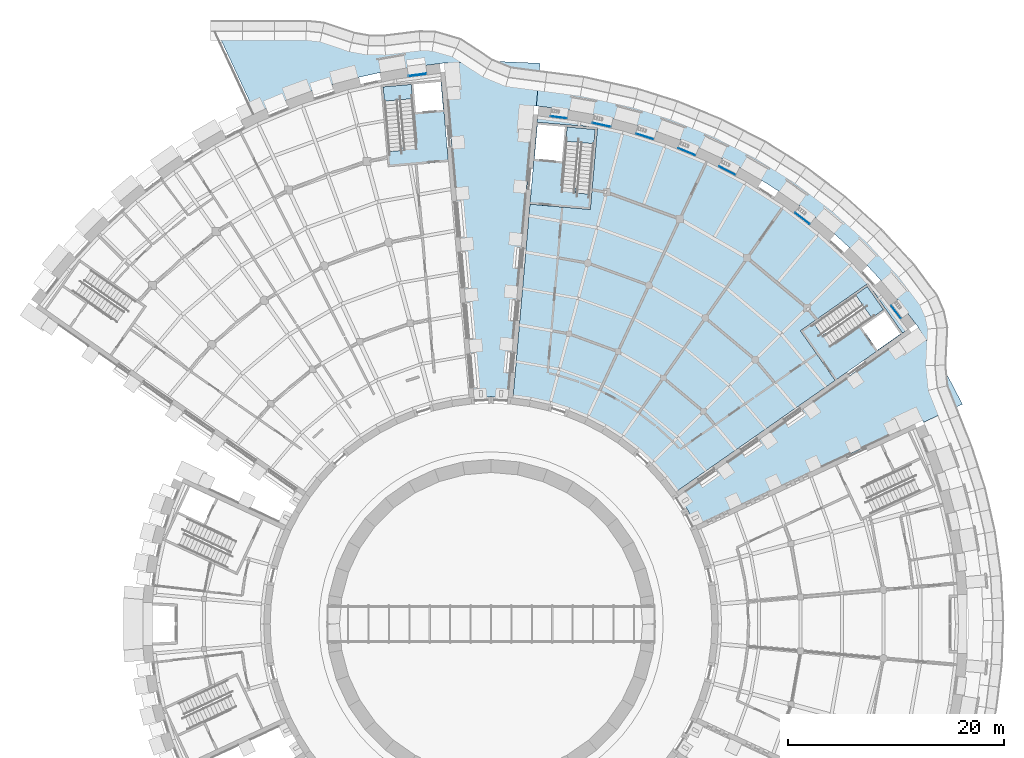
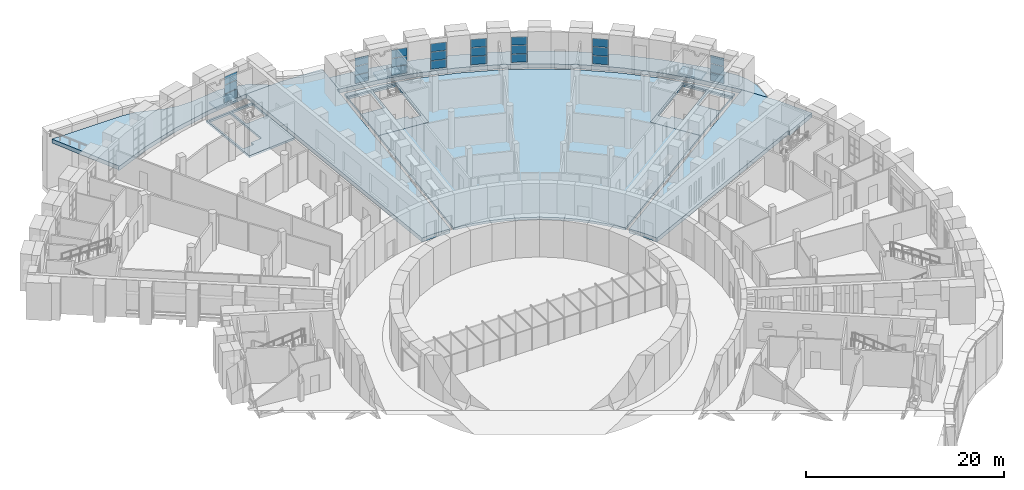
# One storey, part 37 of 85: 24 plates, 11 slabs, 11 elements without a shape of their own.
"""IFC4 building model written with IfcOpenShell, lengths in metres."""

from ifc_helpers import new_model, si_unit, direction, frame, origin, origin_2d, place, context, subcontext, project, spatial, polyline, rectangle, outline, extrude, material, layer, layer_set, type_object, element, aggregate, save


model = new_model("IFC4")

# Units and contexts
model_context = context("Model", 3, precision=1e-05, world=origin(), true_north=direction((0.0, 1.0)))
body_context = subcontext(model_context, "Body", "Model", "MODEL_VIEW")
ifc_project = project(units=[si_unit("LENGTHUNIT", "METRE"), si_unit("AREAUNIT", "SQUARE_METRE"), si_unit("VOLUMEUNIT", "CUBIC_METRE"), si_unit("PLANEANGLEUNIT", "RADIAN"), si_unit("MASSUNIT", "GRAM", prefix="KILO")], contexts=[model_context])

# Site, building, storey
site_placement = place(None, origin())
site = spatial("IfcSite", under=ifc_project, at=site_placement, CompositionType="ELEMENT")
building_placement = place(site_placement, origin())
building = spatial("IfcBuilding", under=site, at=building_placement, Name="Volute Hill Aquarium", CompositionType="ELEMENT")
storey_placement = place(building_placement, origin())
storey = spatial("IfcBuildingStorey", under=building, at=storey_placement, Name="L01", CompositionType="ELEMENT", Elevation=0.0)

# Slabs
ifc_material_1 = material(Name="Concrete C30/37", Category="concrete")
ifc_layer_1 = layer(ifc_material_1, 0.25)
ifc_layer_set_1 = layer_set([ifc_layer_1], Name="Core floor slab 250")
slab_type_1 = type_object("IfcSlabType", Name="Core floor slab 250", PredefinedType="FLOOR", material=ifc_layer_set_1)
slab_1_placement = place(storey_placement, frame((0.0, 0.0, -0.25)))
element("IfcSlab", 1, at=slab_1_placement, inside=storey, type_object=slab_type_1, Name="cs/S5-A/L01", PredefinedType="FLOOR", context=body_context, shape_type="SweptSolid", body=[
    extrude(outline(polyline([(31.791259765625, 22.504638671875), (38.016845703125, 26.86376953125), (34.8046875, 31.451171875), (28.5791015625, 27.091796875), (31.791259765625, 22.504638671875)]), holes=[polyline([(34.23193359375, 27.3876953125), (36.36181640625, 28.87890625), (37.82421875, 26.7900390625), (35.694580078125, 25.298828125), (34.23193359375, 27.3876953125)]), polyline([(30.955078125, 26.92431640625), (30.587890625, 26.667236328125), (29.84228515625, 27.732177734375), (34.755615234375, 31.172607421875), (36.2470703125, 29.042724609375), (31.70068359375, 25.859375), (30.955078125, 26.92431640625)])]), origin(), (0.0, 0.0, 1.0), 0.25),
])
slab_2_placement = place(storey_placement, frame((0.0, 0.0, -0.25)))
element("IfcSlab", 2, at=slab_2_placement, inside=storey, type_object=slab_type_1, Name="cs/S5-B/L01", PredefinedType="FLOOR", context=body_context, shape_type="SweptSolid", body=[
    extrude(outline(polyline([(9.172607421875, 38.29638671875), (9.8349609375, 45.867431640625), (4.25634765625, 46.35546875), (3.593994140625, 38.784423828125), (9.172607421875, 38.29638671875)]), holes=[polyline([(4.009765625, 42.964111328125), (4.288818359375, 46.15185546875), (6.8291015625, 45.9296875), (6.550048828125, 42.74169921875), (4.009765625, 42.964111328125)]), polyline([(6.54443359375, 40.38330078125), (7.0283203125, 45.912109375), (9.618408203125, 45.685546875), (9.095703125, 39.71044921875), (7.800537109375, 39.82373046875), (7.839599609375, 40.27001953125), (6.54443359375, 40.38330078125)])]), origin(), (0.0, 0.0, 1.0), 0.25),
])
slab_3_placement = place(storey_placement, frame((0.0, 0.0, -0.25)))
element("IfcSlab", 3, at=slab_3_placement, inside=storey, type_object=slab_type_1, Name="cs/S6-A/L01", PredefinedType="FLOOR", context=body_context, shape_type="SweptSolid", body=[
    extrude(outline(polyline([(-3.938232421875, 42.71923828125), (-4.6005859375, 50.290283203125), (-10.17919921875, 49.80224609375), (-9.516845703125, 42.231201171875), (-3.938232421875, 42.71923828125)]), holes=[polyline([(-6.94677734375, 47.2744140625), (-7.17333984375, 49.864501953125), (-4.633056640625, 50.0869140625), (-4.406494140625, 47.49658203125), (-6.94677734375, 47.2744140625)]), polyline([(-8.183837890625, 44.204833984375), (-8.144775390625, 43.758544921875), (-9.43994140625, 43.645263671875), (-9.962646484375, 49.62060546875), (-7.37255859375, 49.84716796875), (-6.888916015625, 44.318115234375), (-8.183837890625, 44.204833984375)])]), origin(), (0.0, 0.0, 1.0), 0.25),
])

# Curtain wall, plates
ifc_material_2 = material(Name="Aluminium", Category="aluminium")
ifc_layer_2 = layer(ifc_material_2, 0.25)
ifc_layer_set_2 = layer_set([ifc_layer_2], Name="Curtain wall niche S5 module 1585")
curtain_wall_type_1 = type_object("IfcCurtainWallType", Name="Curtain wall niche S5 module 1585", PredefinedType="NOTDEFINED", material=ifc_layer_set_2)
curtain_wall_1_placement = place(storey_placement, origin())
curtain_wall_1 = element("IfcCurtainWall", 4, at=curtain_wall_1_placement, inside=storey, type_object=curtain_wall_type_1, Name="Curtain wall CW S5 L01 1", PredefinedType="NOTDEFINED")
ifc_material_3 = material(Name="Glass, low-iron laminated", Category="glass")
ifc_layer_3 = layer(ifc_material_3, 0.028076171875)
ifc_layer_set_3 = layer_set([ifc_layer_3], Name="Curtain wall glass panel S5 28")
plate_type_1 = type_object("IfcPlateType", Name="Curtain wall glass panel S5 28", PredefinedType="CURTAIN_PANEL", material=ifc_layer_set_3)
plate_1_placement = place(storey_placement, frame((37.408935546875, 28.8310546875, 0.81005859375), z_axis=(0.0, 0.0, 1.0), x_axis=(-0.608751946393, 0.793360616468, 0.0)))
plate_1 = element("IfcPlate", 5, at=plate_1_placement, type_object=plate_type_1, Name="CW panel 1.1", PredefinedType="CURTAIN_PANEL", context=body_context, shape_type="SweptSolid", body=[
    extrude(rectangle(XDim=1.46533203125, YDim=0.028076171875, at=origin_2d()), origin(), (0.0, 0.0, 1.0), 0.993408203125),
])
plate_2_placement = place(storey_placement, frame((37.408935546875, 28.8310546875, 1.86328125), z_axis=(0.0, 0.0, 1.0), x_axis=(-0.608751946393, 0.793360616468, 0.0)))
plate_2 = element("IfcPlate", 6, at=plate_2_placement, type_object=plate_type_1, Name="CW panel 1.2", PredefinedType="CURTAIN_PANEL", context=body_context, shape_type="SweptSolid", body=[
    extrude(rectangle(XDim=1.46533203125, YDim=0.028076171875, at=origin_2d()), origin(), (0.0, 0.0, 1.0), 1.0234375),
])
plate_3_placement = place(storey_placement, frame((37.408935546875, 28.8310546875, 2.94677734375), z_axis=(0.0, 0.0, 1.0), x_axis=(-0.608751946393, 0.793360616468, 0.0)))
plate_3 = element("IfcPlate", 7, at=plate_3_placement, type_object=plate_type_1, Name="CW panel 1.3", PredefinedType="CURTAIN_PANEL", context=body_context, shape_type="SweptSolid", body=[
    extrude(rectangle(XDim=1.46533203125, YDim=0.028076171875, at=origin_2d()), origin(), (0.0, 0.0, 1.0), 0.993408203125),
])
aggregate(curtain_wall_1, [plate_1, plate_2, plate_3])

ifc_material_4 = material(Name="Aluminium", Category="aluminium")
ifc_layer_4 = layer(ifc_material_4, 0.25)
ifc_layer_set_4 = layer_set([ifc_layer_4], Name="Curtain wall niche S5 module 1786")
curtain_wall_type_2 = type_object("IfcCurtainWallType", Name="Curtain wall niche S5 module 1786", PredefinedType="NOTDEFINED", material=ifc_layer_set_4)
curtain_wall_2_placement = place(storey_placement, origin())
curtain_wall_2 = element("IfcCurtainWall", 8, at=curtain_wall_2_placement, inside=storey, type_object=curtain_wall_type_2, Name="Curtain wall CW S5 L01 4", PredefinedType="NOTDEFINED")
plate_4_placement = place(storey_placement, frame((28.751708984375, 37.4697265625, 0.81005859375), z_axis=(0.0, 0.0, 1.0), x_axis=(-0.793358325379, 0.608754932261, 0.0)))
plate_4 = element("IfcPlate", 9, at=plate_4_placement, type_object=plate_type_1, Name="CW panel 1.1", PredefinedType="CURTAIN_PANEL", context=body_context, shape_type="SweptSolid", body=[
    extrude(rectangle(XDim=1.66552734375, YDim=0.028076171875, at=origin_2d()), origin(), (0.0, 0.0, 1.0), 0.993408203125),
])
plate_5_placement = place(storey_placement, frame((28.751708984375, 37.4697265625, 1.86328125), z_axis=(0.0, 0.0, 1.0), x_axis=(-0.793358325379, 0.608754932261, 0.0)))
plate_5 = element("IfcPlate", 10, at=plate_5_placement, type_object=plate_type_1, Name="CW panel 1.2", PredefinedType="CURTAIN_PANEL", context=body_context, shape_type="SweptSolid", body=[
    extrude(rectangle(XDim=1.66552734375, YDim=0.028076171875, at=origin_2d()), origin(), (0.0, 0.0, 1.0), 1.0234375),
])
plate_6_placement = place(storey_placement, frame((28.751708984375, 37.4697265625, 2.94677734375), z_axis=(0.0, 0.0, 1.0), x_axis=(-0.793358325379, 0.608754932261, 0.0)))
plate_6 = element("IfcPlate", 11, at=plate_6_placement, type_object=plate_type_1, Name="CW panel 1.3", PredefinedType="CURTAIN_PANEL", context=body_context, shape_type="SweptSolid", body=[
    extrude(rectangle(XDim=1.66552734375, YDim=0.028076171875, at=origin_2d()), origin(), (0.0, 0.0, 1.0), 0.993408203125),
])
aggregate(curtain_wall_2, [plate_4, plate_5, plate_6])

curtain_wall_3_placement = place(storey_placement, origin())
curtain_wall_3 = element("IfcCurtainWall", 12, at=curtain_wall_3_placement, inside=storey, type_object=curtain_wall_type_2, Name="Curtain wall CW S5 L01 6", PredefinedType="NOTDEFINED")
plate_7_placement = place(storey_placement, frame((21.808349609375, 41.893310546875, 0.81005859375), z_axis=(0.0, 0.0, 1.0), x_axis=(-0.887007467928, 0.461755077763, 0.0)))
plate_7 = element("IfcPlate", 13, at=plate_7_placement, type_object=plate_type_1, Name="CW panel 1.1", PredefinedType="CURTAIN_PANEL", context=body_context, shape_type="SweptSolid", body=[
    extrude(rectangle(XDim=1.66552734375, YDim=0.028076171875, at=origin_2d()), origin(), (0.0, 0.0, 1.0), 0.993408203125),
])
plate_8_placement = place(storey_placement, frame((21.808349609375, 41.893310546875, 1.86328125), z_axis=(0.0, 0.0, 1.0), x_axis=(-0.887007467928, 0.461755077763, 0.0)))
plate_8 = element("IfcPlate", 14, at=plate_8_placement, type_object=plate_type_1, Name="CW panel 1.2", PredefinedType="CURTAIN_PANEL", context=body_context, shape_type="SweptSolid", body=[
    extrude(rectangle(XDim=1.66552734375, YDim=0.028076171875, at=origin_2d()), origin(), (0.0, 0.0, 1.0), 1.0234375),
])
plate_9_placement = place(storey_placement, frame((21.808349609375, 41.893310546875, 2.94677734375), z_axis=(0.0, 0.0, 1.0), x_axis=(-0.887007467928, 0.461755077763, 0.0)))
plate_9 = element("IfcPlate", 15, at=plate_9_placement, type_object=plate_type_1, Name="CW panel 1.3", PredefinedType="CURTAIN_PANEL", context=body_context, shape_type="SweptSolid", body=[
    extrude(rectangle(XDim=1.66552734375, YDim=0.028076171875, at=origin_2d()), origin(), (0.0, 0.0, 1.0), 0.993408203125),
])
aggregate(curtain_wall_3, [plate_7, plate_8, plate_9])

curtain_wall_4_placement = place(storey_placement, origin())
curtain_wall_4 = element("IfcCurtainWall", 16, at=curtain_wall_4_placement, inside=storey, type_object=curtain_wall_type_2, Name="Curtain wall CW S5 L01 7", PredefinedType="NOTDEFINED")
plate_10_placement = place(storey_placement, frame((18.073974609375, 43.634521484375, 0.81005859375), z_axis=(0.0, 0.0, 1.0), x_axis=(-0.923878338901, 0.382686313983, 0.0)))
plate_10 = element("IfcPlate", 17, at=plate_10_placement, type_object=plate_type_1, Name="CW panel 1.1", PredefinedType="CURTAIN_PANEL", context=body_context, shape_type="SweptSolid", body=[
    extrude(rectangle(XDim=1.66552734375, YDim=0.028076171875, at=origin_2d()), origin(), (0.0, 0.0, 1.0), 0.993408203125),
])
plate_11_placement = place(storey_placement, frame((18.073974609375, 43.634521484375, 1.86328125), z_axis=(0.0, 0.0, 1.0), x_axis=(-0.923878338901, 0.382686313983, 0.0)))
plate_11 = element("IfcPlate", 18, at=plate_11_placement, type_object=plate_type_1, Name="CW panel 1.2", PredefinedType="CURTAIN_PANEL", context=body_context, shape_type="SweptSolid", body=[
    extrude(rectangle(XDim=1.66552734375, YDim=0.028076171875, at=origin_2d()), origin(), (0.0, 0.0, 1.0), 1.0234375),
])
plate_12_placement = place(storey_placement, frame((18.073974609375, 43.634521484375, 2.94677734375), z_axis=(0.0, 0.0, 1.0), x_axis=(-0.923878338901, 0.382686313983, 0.0)))
plate_12 = element("IfcPlate", 19, at=plate_12_placement, type_object=plate_type_1, Name="CW panel 1.3", PredefinedType="CURTAIN_PANEL", context=body_context, shape_type="SweptSolid", body=[
    extrude(rectangle(XDim=1.66552734375, YDim=0.028076171875, at=origin_2d()), origin(), (0.0, 0.0, 1.0), 0.993408203125),
])
aggregate(curtain_wall_4, [plate_10, plate_11, plate_12])

curtain_wall_5_placement = place(storey_placement, origin())
curtain_wall_5 = element("IfcCurtainWall", 20, at=curtain_wall_5_placement, inside=storey, type_object=curtain_wall_type_2, Name="Curtain wall CW S5 L01 8", PredefinedType="NOTDEFINED")
plate_13_placement = place(storey_placement, frame((14.202392578125, 45.043701171875, 0.81005859375), z_axis=(0.0, 0.0, 1.0), x_axis=(-0.953717653977, 0.300703569139, 0.0)))
plate_13 = element("IfcPlate", 21, at=plate_13_placement, type_object=plate_type_1, Name="CW panel 1.1", PredefinedType="CURTAIN_PANEL", context=body_context, shape_type="SweptSolid", body=[
    extrude(rectangle(XDim=1.66552734375, YDim=0.028076171875, at=origin_2d()), origin(), (0.0, 0.0, 1.0), 0.993408203125),
])
plate_14_placement = place(storey_placement, frame((14.202392578125, 45.043701171875, 1.86328125), z_axis=(0.0, 0.0, 1.0), x_axis=(-0.953717653977, 0.300703569139, 0.0)))
plate_14 = element("IfcPlate", 22, at=plate_14_placement, type_object=plate_type_1, Name="CW panel 1.2", PredefinedType="CURTAIN_PANEL", context=body_context, shape_type="SweptSolid", body=[
    extrude(rectangle(XDim=1.66552734375, YDim=0.028076171875, at=origin_2d()), origin(), (0.0, 0.0, 1.0), 1.0234375),
])
plate_15_placement = place(storey_placement, frame((14.202392578125, 45.043701171875, 2.94677734375), z_axis=(0.0, 0.0, 1.0), x_axis=(-0.953717653977, 0.300703569139, 0.0)))
plate_15 = element("IfcPlate", 23, at=plate_15_placement, type_object=plate_type_1, Name="CW panel 1.3", PredefinedType="CURTAIN_PANEL", context=body_context, shape_type="SweptSolid", body=[
    extrude(rectangle(XDim=1.66552734375, YDim=0.028076171875, at=origin_2d()), origin(), (0.0, 0.0, 1.0), 0.993408203125),
])
aggregate(curtain_wall_5, [plate_13, plate_14, plate_15])

curtain_wall_6_placement = place(storey_placement, origin())
curtain_wall_6 = element("IfcCurtainWall", 24, at=curtain_wall_6_placement, inside=storey, type_object=curtain_wall_type_2, Name="Curtain wall CW S5 L01 9", PredefinedType="NOTDEFINED")
plate_16_placement = place(storey_placement, frame((10.222412109375, 46.110107421875, 0.81005859375), z_axis=(0.0, 0.0, 1.0), x_axis=(-0.976299855617, 0.216422253758, 0.0)))
plate_16 = element("IfcPlate", 25, at=plate_16_placement, type_object=plate_type_1, Name="CW panel 1.1", PredefinedType="CURTAIN_PANEL", context=body_context, shape_type="SweptSolid", body=[
    extrude(rectangle(XDim=1.66552734375, YDim=0.028076171875, at=origin_2d()), origin(), (0.0, 0.0, 1.0), 0.993408203125),
])
plate_17_placement = place(storey_placement, frame((10.222412109375, 46.110107421875, 1.86328125), z_axis=(0.0, 0.0, 1.0), x_axis=(-0.976299855617, 0.216422253758, 0.0)))
plate_17 = element("IfcPlate", 26, at=plate_17_placement, type_object=plate_type_1, Name="CW panel 1.2", PredefinedType="CURTAIN_PANEL", context=body_context, shape_type="SweptSolid", body=[
    extrude(rectangle(XDim=1.66552734375, YDim=0.028076171875, at=origin_2d()), origin(), (0.0, 0.0, 1.0), 1.0234375),
])
plate_18_placement = place(storey_placement, frame((10.222412109375, 46.110107421875, 2.94677734375), z_axis=(0.0, 0.0, 1.0), x_axis=(-0.976299855617, 0.216422253758, 0.0)))
plate_18 = element("IfcPlate", 27, at=plate_18_placement, type_object=plate_type_1, Name="CW panel 1.3", PredefinedType="CURTAIN_PANEL", context=body_context, shape_type="SweptSolid", body=[
    extrude(rectangle(XDim=1.66552734375, YDim=0.028076171875, at=origin_2d()), origin(), (0.0, 0.0, 1.0), 0.993408203125),
])
aggregate(curtain_wall_6, [plate_16, plate_17, plate_18])

curtain_wall_7_placement = place(storey_placement, origin())
curtain_wall_7 = element("IfcCurtainWall", 28, at=curtain_wall_7_placement, inside=storey, type_object=curtain_wall_type_1, Name="Curtain wall CW S5 L01 10", PredefinedType="NOTDEFINED")
plate_19_placement = place(storey_placement, frame((6.263916015625, 46.8125, 0.81005859375), z_axis=(0.0, 0.0, 1.0), x_axis=(-0.991443171246, 0.130539029372, 0.0)))
plate_19 = element("IfcPlate", 29, at=plate_19_placement, type_object=plate_type_1, Name="CW panel 1.1", PredefinedType="CURTAIN_PANEL", context=body_context, shape_type="SweptSolid", body=[
    extrude(rectangle(XDim=1.46533203125, YDim=0.028076171875, at=origin_2d()), origin(), (0.0, 0.0, 1.0), 0.993408203125),
])
plate_20_placement = place(storey_placement, frame((6.263916015625, 46.8125, 1.86328125), z_axis=(0.0, 0.0, 1.0), x_axis=(-0.991443171246, 0.130539029372, 0.0)))
plate_20 = element("IfcPlate", 30, at=plate_20_placement, type_object=plate_type_1, Name="CW panel 1.2", PredefinedType="CURTAIN_PANEL", context=body_context, shape_type="SweptSolid", body=[
    extrude(rectangle(XDim=1.46533203125, YDim=0.028076171875, at=origin_2d()), origin(), (0.0, 0.0, 1.0), 1.0234375),
])
plate_21_placement = place(storey_placement, frame((6.263916015625, 46.8125, 2.94677734375), z_axis=(0.0, 0.0, 1.0), x_axis=(-0.991443171246, 0.130539029372, 0.0)))
plate_21 = element("IfcPlate", 31, at=plate_21_placement, type_object=plate_type_1, Name="CW panel 1.3", PredefinedType="CURTAIN_PANEL", context=body_context, shape_type="SweptSolid", body=[
    extrude(rectangle(XDim=1.46533203125, YDim=0.028076171875, at=origin_2d()), origin(), (0.0, 0.0, 1.0), 0.993408203125),
])
aggregate(curtain_wall_7, [plate_19, plate_20, plate_21])

ifc_material_5 = material(Name="Aluminium", Category="aluminium")
ifc_layer_5 = layer(ifc_material_5, 0.25)
ifc_layer_set_5 = layer_set([ifc_layer_5], Name="Curtain wall niche S6 module 1734")
curtain_wall_type_3 = type_object("IfcCurtainWallType", Name="Curtain wall niche S6 module 1734", PredefinedType="NOTDEFINED", material=ifc_layer_set_5)
curtain_wall_8_placement = place(storey_placement, origin())
curtain_wall_8 = element("IfcCurtainWall", 32, at=curtain_wall_8_placement, inside=storey, type_object=curtain_wall_type_3, Name="Curtain wall CW S6 L01 1", PredefinedType="NOTDEFINED")
ifc_material_6 = material(Name="Glass, low-iron laminated", Category="glass")
ifc_layer_6 = layer(ifc_material_6, 0.028076171875)
ifc_layer_set_6 = layer_set([ifc_layer_6], Name="Curtain wall glass panel S6 28")
plate_type_2 = type_object("IfcPlateType", Name="Curtain wall glass panel S6 28", PredefinedType="CURTAIN_PANEL", material=ifc_layer_set_6)
plate_22_placement = place(storey_placement, frame((-6.779052734375, 50.72509765625, 1.875), z_axis=(0.0, 0.0, 1.0), x_axis=(-0.99144508504, -0.130524493298, 0.0)))
plate_22 = element("IfcPlate", 33, at=plate_22_placement, type_object=plate_type_2, Name="CW panel 1.2", PredefinedType="CURTAIN_PANEL", context=body_context, shape_type="SweptSolid", body=[
    extrude(rectangle(XDim=1.633544921875, YDim=0.028076171875, at=origin_2d()), origin(), (0.0, 0.0, 1.0), 1.050048828125),
])
plate_23_placement = place(storey_placement, frame((-6.779052734375, 50.72509765625, 2.97509765625), z_axis=(0.0, 0.0, 1.0), x_axis=(-0.99144508504, -0.130524493298, 0.0)))
plate_23 = element("IfcPlate", 34, at=plate_23_placement, type_object=plate_type_2, Name="CW panel 1.3", PredefinedType="CURTAIN_PANEL", context=body_context, shape_type="SweptSolid", body=[
    extrude(rectangle(XDim=1.633544921875, YDim=0.028076171875, at=origin_2d()), origin(), (0.0, 0.0, 1.0), 1.02490234375),
])
ifc_material_7 = material(Name="Aluminium", Category="aluminium")
ifc_layer_7 = layer(ifc_material_7, 0.06005859375)
ifc_layer_set_7 = layer_set([ifc_layer_7], Name="Curtain wall insulated spandrel panel 60")
plate_type_3 = type_object("IfcPlateType", Name="Curtain wall insulated spandrel panel 60", PredefinedType="CURTAIN_PANEL", material=ifc_layer_set_7)
plate_24_placement = place(storey_placement, frame((-6.779052734375, 50.72509765625, 0.800048828125), z_axis=(0.0, 0.0, 1.0), x_axis=(-0.99144508504, -0.130524493298, 0.0)))
plate_24 = element("IfcPlate", 35, at=plate_24_placement, type_object=plate_type_3, Name="CW panel 1.1", PredefinedType="CURTAIN_PANEL", context=body_context, shape_type="SweptSolid", body=[
    extrude(rectangle(XDim=1.633544921875, YDim=0.06005859375, at=origin_2d()), origin(), (0.0, 0.0, 1.0), 1.02490234375),
])
aggregate(curtain_wall_8, [plate_24, plate_22, plate_23])

# Slabs
ifc_material_8 = material(Name="Concrete C35/45", Category="concrete")
ifc_layer_8 = layer(ifc_material_8, 0.2900390625)
ifc_layer_set_8 = layer_set([ifc_layer_8], Name="Floor slab 290 C35/45")
slab_type_2 = type_object("IfcSlabType", Name="Floor slab 290 C35/45", PredefinedType="FLOOR", material=ifc_layer_set_8)
slab_4_placement = place(storey_placement, frame((0.0, 0.0, -0.2900390625)))
element("IfcSlab", 36, at=slab_4_placement, inside=storey, type_object=slab_type_2, Name="fl/S5/L01/1", PredefinedType="FLOOR", context=body_context, shape_type="SweptSolid", body=[
    extrude(outline(polyline([(8.1875, 46.43359375), (12.203369140625, 45.54345703125), (16.126220703125, 44.306396484375), (19.926513671875, 42.732421875), (23.574951171875, 40.8330078125), (27.044189453125, 38.623046875), (30.307373046875, 36.118896484375), (33.340087890625, 33.340087890625), (36.118896484375, 30.307373046875), (38.501220703125, 27.202880859375), (38.016845703125, 26.86376953125), (34.8046875, 31.451171875), (28.5791015625, 27.091796875), (31.791259765625, 22.504638671875), (17.080322265625, 12.203857421875), (16.0869140625, 13.49853515625), (14.84912109375, 14.84912109375), (13.49853515625, 16.0869140625), (12.045166015625, 17.2021484375), (10.5, 18.1865234375), (8.875, 19.032470703125), (7.182373046875, 19.7333984375), (5.435302734375, 20.284423828125), (3.646484375, 20.680908203125), (2.02880859375, 20.89404296875), (3.94580078125, 42.804443359375), (3.593994140625, 38.784423828125), (9.172607421875, 38.29638671875), (9.8349609375, 45.867431640625), (4.25634765625, 46.35546875), (4.307861328125, 46.944580078125), (8.1875, 46.43359375)])), origin(), (0.0, 0.0, 1.0), 0.2900390625),
])
ifc_material_9 = material(Name="Concrete C30/37", Category="concrete")
ifc_layer_9 = layer(ifc_material_9, 0.5)
ifc_layer_set_9 = layer_set([ifc_layer_9], Name="Site paving build-up C30/37 500")
slab_type_3 = type_object("IfcSlabType", Name="Site paving build-up C30/37 500", PredefinedType="BASESLAB", material=ifc_layer_set_9)
slab_5_placement = place(storey_placement, frame((0.0, 0.0, -0.5)))
element("IfcSlab", 37, at=slab_5_placement, inside=storey, type_object=slab_type_3, Name="pv/SC5/L01/0", PredefinedType="BASESLAB", context=body_context, shape_type="SweptSolid", body=[
    extrude(outline(polyline([(39.96826171875, 18.637451171875), (43.548095703125, 20.306884765625), (41.612548828125, 24.02490234375), (39.4677734375, 27.3916015625), (17.309814453125, 11.876220703125), (18.1865234375, 10.5), (18.93994140625, 9.052490234375), (39.883544921875, 18.81884765625), (39.96826171875, 18.637451171875)])), origin(), (0.0, 0.0, 1.0), 0.5),
])
slab_6_placement = place(storey_placement, frame((0.0, 0.0, -0.5)))
element("IfcSlab", 38, at=slab_6_placement, inside=storey, type_object=slab_type_3, Name="pv/SC6/L01/0", PredefinedType="BASESLAB", context=body_context, shape_type="SweptSolid", body=[
    extrude(outline(polyline([(4.187744140625, 47.8671875), (4.531982421875, 51.802001953125), (0.0, 52.0), (-4.33203125, 51.810791015625), (-1.63037109375, 20.9287109375), (0.0, 21.0), (1.63037109375, 20.9287109375), (3.988525390625, 47.884521484375), (4.187744140625, 47.8671875)])), origin(), (0.0, 0.0, 1.0), 0.5),
])
slab_7_placement = place(storey_placement, frame((0.0, 0.0, -0.5)))
element("IfcSlab", 39, at=slab_7_placement, inside=storey, type_object=slab_type_3, Name="pv/UP/L01/0", PredefinedType="BASESLAB", context=body_context, shape_type="SweptSolid", body=[
    extrude(outline(polyline([(-15.615478515625, 54.6376953125), (-17.072509765625, 54.7900390625), (-25.32470703125, 54.781982421875), (-21.794921875, 47.212646484375), (-21.9755859375, 47.128173828125), (-17.784912109375, 48.864013671875), (-13.45849609375, 50.22802734375), (-9.02978515625, 51.2099609375), (-4.531982421875, 51.802001953125), (-1.30908203125, 51.94287109375), (-3.21435546875, 53.19287109375), (-5.307373046875, 53.79345703125), (-6.575927734375, 53.82763671875), (-9.802734375, 53.432861328125), (-11.35009765625, 53.442138671875), (-12.8857421875, 53.716796875), (-15.615478515625, 54.6376953125)])), origin(), (0.0, 0.0, 1.0), 0.5),
])
slab_8_placement = place(storey_placement, frame((0.0, 0.0, -0.5)))
element("IfcSlab", 40, at=slab_8_placement, inside=storey, type_object=slab_type_3, Name="pv/UP/L01/3", PredefinedType="BASESLAB", context=body_context, shape_type="SweptSolid", body=[
    extrude(outline(polyline([(13.36279296875, 48.521728515625), (8.39697265625, 49.62255859375), (4.38671875, 50.141357421875), (4.187744140625, 47.8671875), (8.34375, 47.320068359375), (12.436279296875, 46.41259765625), (16.43408203125, 45.152099609375), (20.306884765625, 43.548095703125), (24.02490234375, 41.612548828125), (27.560302734375, 39.3603515625), (30.885986328125, 36.808349609375), (33.9765625, 33.9765625), (36.808349609375, 30.885986328125), (39.3603515625, 27.560302734375), (41.073486328125, 24.871337890625), (41.20361328125, 27.320556640625), (40.920654296875, 28.637451171875), (40.36669921875, 29.891357421875), (38.325927734375, 32.618896484375), (35.345458984375, 35.82763671875), (32.088623046875, 38.771728515625), (28.587158203125, 41.4208984375), (24.868408203125, 43.7548828125), (20.960205078125, 45.755859375), (16.888916015625, 47.409912109375), (13.36279296875, 48.521728515625)])), origin(), (0.0, 0.0, 1.0), 0.5),
])

# Stair, slab
ifc_material_10 = material(Name="Concrete C35/45", Category="concrete")
stair_type = type_object("IfcStairType", Name="Stair C35/45", PredefinedType="HALF_TURN_STAIR", material=ifc_material_10)
stair_1_placement = place(storey_placement, origin())
stair_1 = element("IfcStair", 41, at=stair_1_placement, inside=storey, type_object=stair_type, Name="ST/S5-A/L01", PredefinedType="HALF_TURN_STAIR")
ifc_material_11 = material(Name="Concrete C35/45", Category="concrete")
ifc_layer_10 = layer(ifc_material_11, 0.199951171875)
ifc_layer_set_10 = layer_set([ifc_layer_10], Name="Stair landing C35/45 200")
slab_type_4 = type_object("IfcSlabType", Name="Stair landing C35/45 200", PredefinedType="LANDING", material=ifc_layer_set_10)
slab_9_placement = place(storey_placement, frame((0.0, 0.0, 2.10009765625)))
slab_9 = element("IfcSlab", 42, at=slab_9_placement, type_object=slab_type_4, Name="ST-S5-A-01 landing 1", PredefinedType="LANDING", context=body_context, shape_type="SweptSolid", body=[
    extrude(outline(polyline([(35.1640625, 28.284423828125), (36.2470703125, 29.042724609375), (34.755615234375, 31.172607421875), (33.6728515625, 30.414306640625), (35.1640625, 28.284423828125)])), origin(), (0.0, 0.0, 1.0), 0.199951171875),
])
aggregate(stair_1, [slab_9])

stair_2_placement = place(storey_placement, origin())
stair_2 = element("IfcStair", 43, at=stair_2_placement, inside=storey, type_object=stair_type, Name="ST/S5-B/L01", PredefinedType="HALF_TURN_STAIR")
slab_10_placement = place(storey_placement, frame((0.0, 0.0, 2.10009765625)))
slab_10 = element("IfcSlab", 44, at=slab_10_placement, type_object=slab_type_4, Name="ST-S5-B-01 landing 1", PredefinedType="LANDING", context=body_context, shape_type="SweptSolid", body=[
    extrude(outline(polyline([(9.503173828125, 44.36865234375), (9.618408203125, 45.685546875), (7.0283203125, 45.912109375), (6.9130859375, 44.59521484375), (9.503173828125, 44.36865234375)])), origin(), (0.0, 0.0, 1.0), 0.199951171875),
])
aggregate(stair_2, [slab_10])

stair_3_placement = place(storey_placement, origin())
stair_3 = element("IfcStair", 45, at=stair_3_placement, inside=storey, type_object=stair_type, Name="ST/S6-A/L01", PredefinedType="HALF_TURN_STAIR")
slab_11_placement = place(storey_placement, frame((0.0, 0.0, 2.10009765625)))
slab_11 = element("IfcSlab", 46, at=slab_11_placement, type_object=slab_type_4, Name="ST-S6-A-01 landing 1", PredefinedType="LANDING", context=body_context, shape_type="SweptSolid", body=[
    extrude(outline(polyline([(-7.25732421875, 48.5302734375), (-7.37255859375, 49.84716796875), (-9.962646484375, 49.62060546875), (-9.847412109375, 48.3037109375), (-7.25732421875, 48.5302734375)])), origin(), (0.0, 0.0, 1.0), 0.199951171875),
])
aggregate(stair_3, [slab_11])

save(model, "model.ifc")
